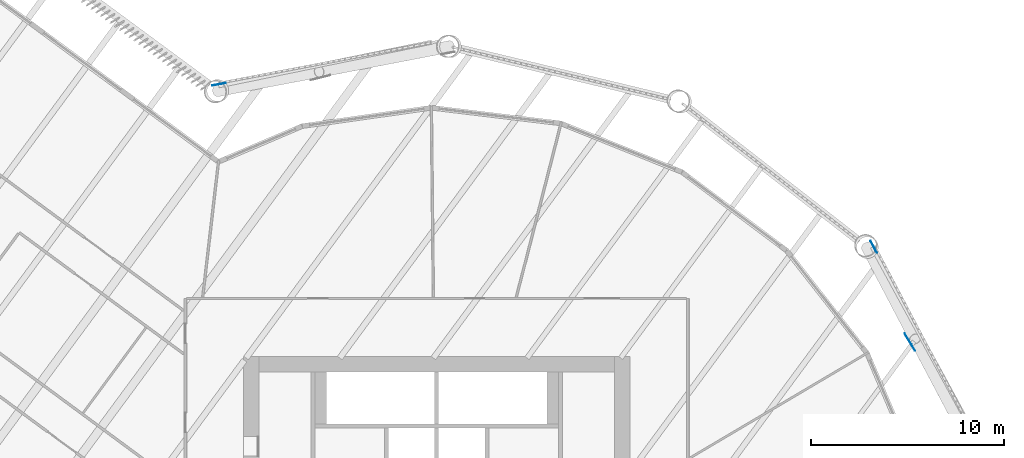
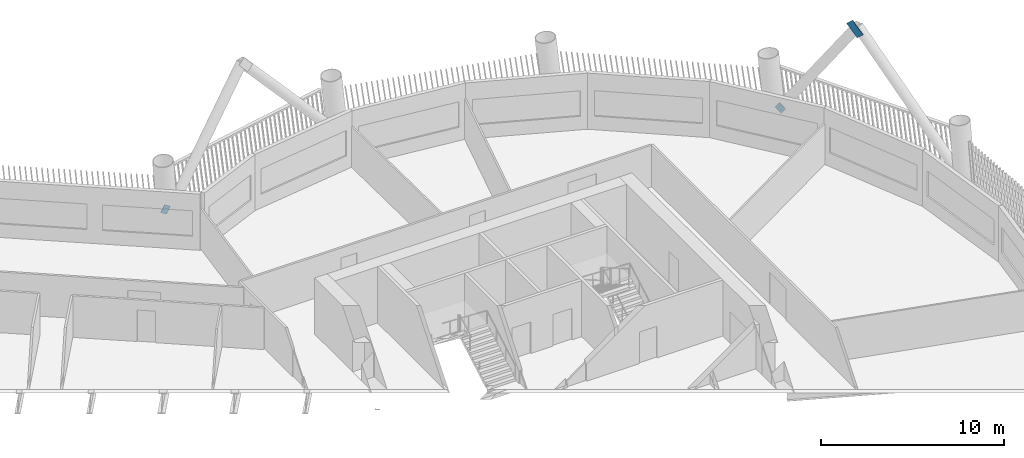
# One storey, part 14 of 23: 3 discrete accessories.
"""IFC4 building model written with IfcOpenShell, lengths in metres."""

from ifc_helpers import new_model, si_unit, direction, frame, origin, origin_2d, place, context, subcontext, project, spatial, rectangle, extrude, material, material_profile, profile_set, type_object, element, save


model = new_model("IFC4")

# Units and contexts
model_context = context("Model", 3, precision=1e-05, world=origin(), true_north=direction((0.0, 1.0)))
body_context = subcontext(model_context, "Body", "Model", "MODEL_VIEW")
ifc_project = project(units=[si_unit("LENGTHUNIT", "METRE"), si_unit("AREAUNIT", "SQUARE_METRE"), si_unit("VOLUMEUNIT", "CUBIC_METRE"), si_unit("PLANEANGLEUNIT", "RADIAN"), si_unit("MASSUNIT", "GRAM", prefix="KILO")], contexts=[model_context])

# Site, building, storey
site_placement = place(None, origin())
site = spatial("IfcSite", under=ifc_project, at=site_placement, CompositionType="ELEMENT")
building_placement = place(site_placement, origin())
building = spatial("IfcBuilding", under=site, at=building_placement, Name="Tarsis Ring Headquarters", CompositionType="ELEMENT")
storey_placement = place(building_placement, frame((0.0, 0.0, 124.0)))
storey = spatial("IfcBuildingStorey", under=building, at=storey_placement, Name="L28", CompositionType="ELEMENT", Elevation=124.0)

# Discrete accessories
ifc_material = material(Name="Structural steel S355", Category="steel")
ifc_material_profile = material_profile(ifc_material, rectangle(XDim=0.02490234375, YDim=0.5, at=origin_2d()), Name="PL 25x500")
ifc_profile_set = profile_set([ifc_material_profile], Name="Structural steel S355")
discrete_accessory_type = type_object("IfcDiscreteAccessoryType", Name="Gusset plate Exo brace 25", PredefinedType="BRACKET", material=ifc_profile_set)
discrete_accessory_placement = place(storey_placement, frame((24.654052734375, 13.461181640625, 7.4267578125), z_axis=(-0.342023127231, 0.571015056812, 0.74629885792), x_axis=(-0.85788102886, -0.51384836316, 0.0)))
element("IfcDiscreteAccessory", 1, at=discrete_accessory_placement, inside=storey, type_object=discrete_accessory_type, Name="Gusset plate GP5", PredefinedType="BRACKET", context=body_context, shape_type="SweptSolid", body=[
    extrude(rectangle(XDim=0.02490234375, YDim=0.5, at=origin_2d()), origin(), (0.0, 0.0, 1.0), 1.0),
])
for number, where, z_axis, x_axis, name in (
    (2, (22.55224609375, 18.796875, 0.0), (0.262678497572, -0.50094449537, 0.824654242378), (0.885628709555, 0.464394001697, 0.0), "Gusset plate GP5"),
    (3, (-11.39501953125, 27.05712890625, 0.0), (0.5560506697, 0.104473084562, 0.824556260863), (-0.184653205119, 0.982803741262, 0.0), "Gusset plate GP5"),
):
    element("IfcDiscreteAccessory", number, at=place(storey_placement, frame(where, z_axis=z_axis, x_axis=x_axis)), inside=storey, type_object=discrete_accessory_type, Name=name, PredefinedType="BRACKET", context=body_context, shape_type="SweptSolid", body=[
        extrude(rectangle(XDim=0.02490234375, YDim=0.5, at=origin_2d()), origin(), (0.0, 0.0, 1.0), 0.5),
    ])

save(model, "model.ifc")
